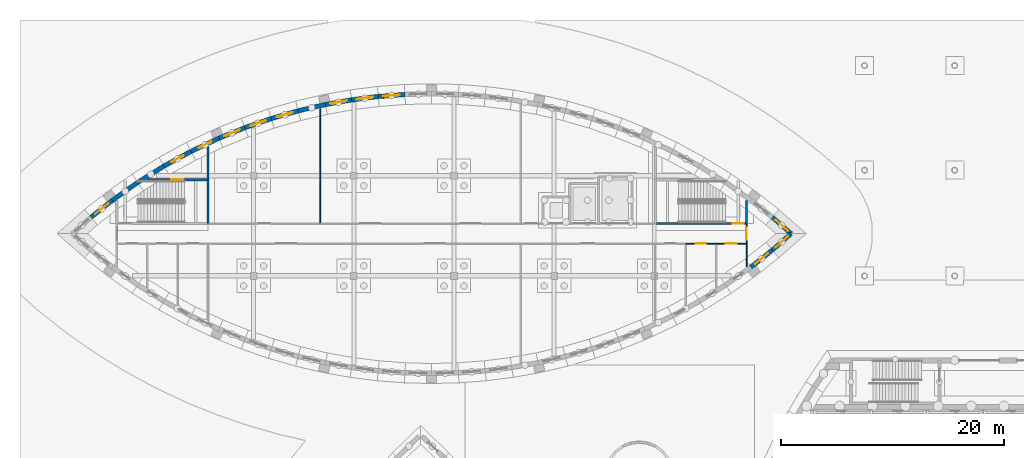
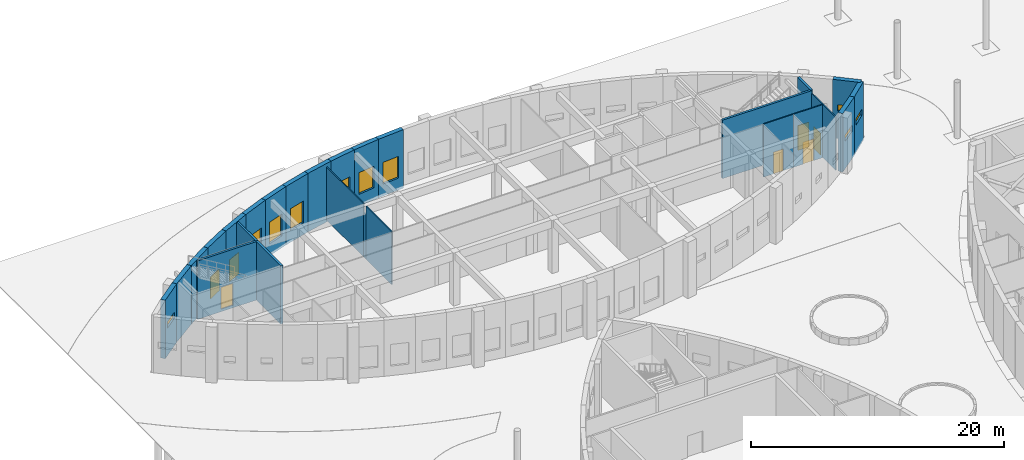
# One storey, part 59 of 82: 27 walls, 10 windows, 7 doors, 17 openings.
"""IFC4 building model written with IfcOpenShell, lengths in metres."""

from ifc_helpers import new_model, si_unit, direction, frame, frame_2d, origin, place, context, subcontext, project, spatial, rectangle, extrude, material, layer, layer_set, type_object, element, fill, save


model = new_model("IFC4")

# Units and contexts
model_context = context("Model", 3, precision=1e-05, world=origin(), true_north=direction((0.0, 1.0)))
body_context = subcontext(model_context, "Body", "Model", "MODEL_VIEW")
ifc_project = project(units=[si_unit("LENGTHUNIT", "METRE"), si_unit("AREAUNIT", "SQUARE_METRE"), si_unit("VOLUMEUNIT", "CUBIC_METRE"), si_unit("PLANEANGLEUNIT", "RADIAN"), si_unit("MASSUNIT", "GRAM", prefix="KILO")], contexts=[model_context])

# Site, building, storey
site_placement = place(None, origin())
site = spatial("IfcSite", under=ifc_project, at=site_placement, CompositionType="ELEMENT")
building_placement = place(site_placement, origin())
building = spatial("IfcBuilding", under=site, at=building_placement, Name="Tide Square Theatres", CompositionType="ELEMENT")
storey_placement = place(building_placement, origin())
storey = spatial("IfcBuildingStorey", under=building, at=storey_placement, Name="L00", CompositionType="ELEMENT", Elevation=0.0)

# Walls
ifc_material_1 = material(Name="Gypsum board on steel studs", Category="steel")
ifc_layer_1 = layer(ifc_material_1, 0.10009765625)
ifc_layer_set_1 = layer_set([ifc_layer_1], Name="Gypsum board on steel studs")
wall_type_1 = type_object("IfcWallType", Name="Partition 100 thick", PredefinedType="PARTITIONING", material=ifc_layer_set_1)
wall_1_placement = place(storey_placement, frame((27.0, 109.04443359375, 0.0), z_axis=(0.0, 0.0, 1.0), x_axis=(0.0, -1.0, 0.0)))
element("IfcWall", 1, at=wall_1_placement, inside=storey, type_object=wall_type_1, Name="Scenery Workshops partition", PredefinedType="PARTITIONING", context=body_context, shape_type="SweptSolid", body=[
    extrude(rectangle(XDim=5.844482421875, YDim=0.10009765625, at=frame_2d((2.92236328125, 0.0))), origin(), (0.0, 0.0, 1.0), 5.1201171875),
])
wall_2_placement = place(storey_placement, frame((27.0, 103.199951171875, 0.0), z_axis=(0.0, 0.0, 1.0), x_axis=(0.0, -1.0, 0.0)))
element("IfcWall", 2, at=wall_2_placement, inside=storey, type_object=wall_type_1, Name="Scenery Workshops partition", PredefinedType="PARTITIONING", context=body_context, shape_type="SweptSolid", body=[
    extrude(rectangle(XDim=0.39990234375, YDim=0.10009765625, at=frame_2d((0.199951171875, 0.0))), origin(), (0.0, 0.0, 1.0), 4.320068359375),
])
wall_3_placement = place(storey_placement, frame((27.0, 102.800048828125, 0.0), z_axis=(0.0, 0.0, 1.0), x_axis=(0.0, -1.0, 0.0)))
element("IfcWall", 3, at=wall_3_placement, inside=storey, type_object=wall_type_1, Name="Scenery Workshops partition", PredefinedType="PARTITIONING", context=body_context, shape_type="SweptSolid", body=[
    extrude(rectangle(XDim=4.070068359375, YDim=0.10009765625, at=frame_2d((2.03515625, 0.0))), origin(), (0.0, 0.0, 1.0), 5.1201171875),
])

# Wall, opening, door
wall_4_placement = place(storey_placement, frame((62.566650390625, 96.89990234375, 0.0), z_axis=(0.0, 0.0, 1.0), x_axis=(-1.0, 0.0, 0.0)))
wall_4 = element("IfcWall", 4, at=wall_4_placement, inside=storey, type_object=wall_type_1, Name="Scenery Workshops partition", PredefinedType="PARTITIONING", context=body_context, shape_type="SweptSolid", body=[
    extrude(rectangle(XDim=2.7333984375, YDim=0.10009765625, at=frame_2d((1.36669921875, 0.0))), origin(), (0.0, 0.0, 1.0), 5.1201171875),
])
opening_1_placement = place(wall_4_placement, frame((0.916748046875, 0.0, 0.0)))
opening_1 = element("IfcOpeningElement", 5, at=opening_1_placement, cuts=wall_4, Name="Opening W0-09", PredefinedType="OPENING", context=body_context, shape_type="SweptSolid", body=[
    extrude(rectangle(XDim=0.89990234375, YDim=2.10009765625, at=frame_2d((0.449951171875, 1.050048828125))), frame((0.0, 0.06005859375, 0.0), z_axis=(0.0, -1.0, 0.0), x_axis=(1.0, 0.0, 0.0)), (0.0, 0.0, 1.0), 0.1201171875),
])
ifc_material_2 = material(Name="Hardwood timber", Category="wood")
door_type_1 = type_object("IfcDoorType", Name="Door 900 x 2100 single leaf", OperationType="NOTDEFINED", PredefinedType="DOOR", material=ifc_material_2)
door_1_placement = place(opening_1_placement, origin())
door_1 = element("IfcDoor", 6, at=door_1_placement, inside=storey, type_object=door_type_1, Name="Scenery Workshops door W0-09 to Ladies WC E", OperationType="SINGLE_SWING_RIGHT", OverallHeight=2.10009765625, OverallWidth=0.89990234375, PredefinedType="DOOR", context=body_context, shape_type="SweptSolid", body=[
    extrude(rectangle(XDim=0.89990234375, YDim=2.10009765625, at=frame_2d((0.449951171875, 1.050048828125))), frame((0.0, 0.02490234375, 0.0), z_axis=(0.0, -1.0, 0.0), x_axis=(1.0, 0.0, 0.0)), (0.0, 0.0, 1.0), 0.050048828125),
])
fill(opening_1, door_1)

wall_5_placement = place(storey_placement, frame((65.300048828125, 96.89990234375, 0.0), z_axis=(0.0, 0.0, 1.0), x_axis=(-1.0, 0.0, 0.0)))
wall_5 = element("IfcWall", 7, at=wall_5_placement, inside=storey, type_object=wall_type_1, Name="Scenery Workshops partition", PredefinedType="PARTITIONING", context=body_context, shape_type="SweptSolid", body=[
    extrude(rectangle(XDim=2.7333984375, YDim=0.10009765625, at=frame_2d((1.36669921875, 0.0))), origin(), (0.0, 0.0, 1.0), 5.1201171875),
])
opening_2_placement = place(wall_5_placement, frame((0.86669921875, 0.0, 0.0)))
opening_2 = element("IfcOpeningElement", 8, at=opening_2_placement, cuts=wall_5, Name="Opening W0-10", PredefinedType="OPENING", context=body_context, shape_type="SweptSolid", body=[
    extrude(rectangle(XDim=1.0, YDim=2.10009765625, at=frame_2d((0.5, 1.050048828125))), frame((0.0, 0.06005859375, 0.0), z_axis=(0.0, -1.0, 0.0), x_axis=(1.0, 0.0, 0.0)), (0.0, 0.0, 1.0), 0.1201171875),
])
ifc_material_3 = material(Name="Hardwood timber", Category="wood")
door_type_2 = type_object("IfcDoorType", Name="Door 1000 x 2100 single leaf", OperationType="NOTDEFINED", PredefinedType="DOOR", material=ifc_material_3)
door_2_placement = place(opening_2_placement, origin())
door_2 = element("IfcDoor", 9, at=door_2_placement, inside=storey, type_object=door_type_2, Name="Scenery Workshops door W0-10 to Accessible WC E", OperationType="SINGLE_SWING_RIGHT", OverallHeight=2.10009765625, OverallWidth=1.0, PredefinedType="DOOR", context=body_context, shape_type="SweptSolid", body=[
    extrude(rectangle(XDim=1.0, YDim=2.10009765625, at=frame_2d((0.5, 1.050048828125))), frame((0.0, 0.02490234375, 0.0), z_axis=(0.0, -1.0, 0.0), x_axis=(1.0, 0.0, 0.0)), (0.0, 0.0, 1.0), 0.050048828125),
])
fill(opening_2, door_2)

# Wall
wall_6_placement = place(storey_placement, frame((65.300048828125, 96.8701171875, 0.0), z_axis=(0.0, 0.0, 1.0), x_axis=(0.0, -1.0, 0.0)))
element("IfcWall", 10, at=wall_6_placement, inside=storey, type_object=wall_type_1, Name="Scenery Workshops partition", PredefinedType="PARTITIONING", context=body_context, shape_type="SweptSolid", body=[
    extrude(rectangle(XDim=2.041015625, YDim=0.10009765625, at=frame_2d((1.0205078125, 0.0))), origin(), (0.0, 0.0, 1.0), 5.1201171875),
])

# Wall, opening, door
wall_7_placement = place(storey_placement, frame((65.300048828125, 98.669921875, 0.0), z_axis=(0.0, 0.0, 1.0), x_axis=(0.0, -1.0, 0.0)))
wall_7 = element("IfcWall", 11, at=wall_7_placement, inside=storey, type_object=wall_type_1, Name="Scenery Workshops partition", PredefinedType="PARTITIONING", context=body_context, shape_type="SweptSolid", body=[
    extrude(rectangle(XDim=1.77001953125, YDim=0.10009765625, at=frame_2d((0.885009765625, 0.0))), origin(), (0.0, 0.0, 1.0), 5.1201171875),
])
opening_3_placement = place(wall_7_placement, frame((0.320068359375, 0.0, 0.0)))
opening_3 = element("IfcOpeningElement", 12, at=opening_3_placement, cuts=wall_7, Name="Opening W0-12", PredefinedType="OPENING", context=body_context, shape_type="SweptSolid", body=[
    extrude(rectangle(XDim=1.10009765625, YDim=2.10009765625, at=frame_2d((0.550048828125, 1.050048828125))), frame((0.0, 0.06005859375, 0.0), z_axis=(0.0, -1.0, 0.0), x_axis=(1.0, 0.0, 0.0)), (0.0, 0.0, 1.0), 0.1201171875),
])
ifc_material_4 = material(Name="Painted steel", Category="steel")
door_type_3 = type_object("IfcDoorType", Name="Door 1100 x 2100 single leaf", OperationType="NOTDEFINED", PredefinedType="DOOR", material=ifc_material_4)
door_3_placement = place(opening_3_placement, origin())
door_3 = element("IfcDoor", 13, at=door_3_placement, inside=storey, type_object=door_type_3, Name="Scenery Workshops door W0-12 to Plant Room E", OperationType="SINGLE_SWING_RIGHT", OverallHeight=2.10009765625, OverallWidth=1.10009765625, PredefinedType="DOOR", context=body_context, shape_type="SweptSolid", body=[
    extrude(rectangle(XDim=1.10009765625, YDim=2.10009765625, at=frame_2d((0.550048828125, 1.050048828125))), frame((0.0, 0.02490234375, 0.0), z_axis=(0.0, -1.0, 0.0), x_axis=(1.0, 0.0, 0.0)), (0.0, 0.0, 1.0), 0.050048828125),
])
fill(opening_3, door_3)

# Wall, opening, window
ifc_material_5 = material(Name="Concrete C40", Category="concrete")
ifc_layer_2 = layer(ifc_material_5, 0.39990234375)
ifc_layer_set_2 = layer_set([ifc_layer_2], Name="Concrete C40")
wall_type_2 = type_object("IfcWallType", Name="RC curved wall 400 thick", PredefinedType="SOLIDWALL", material=ifc_layer_set_2)
wall_8_placement = place(storey_placement, frame((65.68017578125, 94.79150390625, -0.25), z_axis=(0.0, 0.0, 1.0), x_axis=(0.784278812541, 0.620408530082, 0.0)))
wall_8 = element("IfcWall", 14, at=wall_8_placement, inside=storey, type_object=wall_type_2, Name="Scenery Workshops perimeter wall 026", PredefinedType="SOLIDWALL", context=body_context, shape_type="SweptSolid", body=[
    extrude(rectangle(XDim=2.464111328125, YDim=0.39990234375, at=frame_2d((1.23193359375, 0.0))), origin(), (0.0, 0.0, 1.0), 5.64990234375),
])
opening_4_placement = place(wall_8_placement, frame((0.48193359375, 0.0, 2.64990234375)))
opening_4 = element("IfcOpeningElement", 15, at=opening_4_placement, cuts=wall_8, Name="Opening WN-05", PredefinedType="OPENING", context=body_context, shape_type="SweptSolid", body=[
    extrude(rectangle(XDim=1.5, YDim=0.60009765625, at=frame_2d((0.75, 0.300048828125))), frame((0.0, 0.2099609375, 0.0), z_axis=(0.0, -1.0, 0.0), x_axis=(1.0, 0.0, 0.0)), (0.0, 0.0, 1.0), 0.419921875),
])
ifc_material_6 = material(Name="Aluminium with laminated glass", Category="aluminium")
window_type_1 = type_object("IfcWindowType", Name="Window 1500 x 600", PartitioningType="SINGLE_PANEL", PredefinedType="WINDOW", material=ifc_material_6)
window_1_placement = place(opening_4_placement, origin())
window_1 = element("IfcWindow", 16, at=window_1_placement, inside=storey, type_object=window_type_1, Name="Scenery Workshops window L00-24", OverallHeight=0.60009765625, OverallWidth=1.5, PartitioningType="SINGLE_PANEL", PredefinedType="WINDOW", context=body_context, shape_type="SweptSolid", body=[
    extrude(rectangle(XDim=1.5, YDim=0.60009765625, at=frame_2d((0.75, 0.300048828125))), frame((0.0, 0.030029296875, 0.0), z_axis=(0.0, -1.0, 0.0), x_axis=(1.0, 0.0, 0.0)), (0.0, 0.0, 1.0), 0.06005859375),
])
fill(opening_4, window_1)

wall_9_placement = place(storey_placement, frame((67.61279296875, 96.3203125, -0.25), z_axis=(0.0, 0.0, 1.0), x_axis=(0.751212351098, 0.660060605973, 0.0)))
wall_9 = element("IfcWall", 17, at=wall_9_placement, inside=storey, type_object=wall_type_2, Name="Scenery Workshops perimeter wall 027", PredefinedType="SOLIDWALL", context=body_context, shape_type="SweptSolid", body=[
    extrude(rectangle(XDim=2.24169921875, YDim=0.39990234375, at=frame_2d((1.120849609375, 0.0))), origin(), (0.0, 0.0, 1.0), 5.64990234375),
])
opening_5_placement = place(wall_9_placement, frame((0.370849609375, 0.0, 2.64990234375)))
opening_5 = element("IfcOpeningElement", 18, at=opening_5_placement, cuts=wall_9, Name="Opening WN-05", PredefinedType="OPENING", context=body_context, shape_type="SweptSolid", body=[
    extrude(rectangle(XDim=1.5, YDim=0.60009765625, at=frame_2d((0.75, 0.300048828125))), frame((0.0, 0.2099609375, 0.0), z_axis=(0.0, -1.0, 0.0), x_axis=(1.0, 0.0, 0.0)), (0.0, 0.0, 1.0), 0.419921875),
])
window_2_placement = place(opening_5_placement, origin())
window_2 = element("IfcWindow", 19, at=window_2_placement, inside=storey, type_object=window_type_1, Name="Scenery Workshops window L00-25", OverallHeight=0.60009765625, OverallWidth=1.5, PartitioningType="SINGLE_PANEL", PredefinedType="WINDOW", context=body_context, shape_type="SweptSolid", body=[
    extrude(rectangle(XDim=1.5, YDim=0.60009765625, at=frame_2d((0.75, 0.300048828125))), frame((0.0, 0.030029296875, 0.0), z_axis=(0.0, -1.0, 0.0), x_axis=(1.0, 0.0, 0.0)), (0.0, 0.0, 1.0), 0.06005859375),
])
fill(opening_5, window_2)

wall_10_placement = place(storey_placement, frame((69.296875, 97.800048828125, -0.25), z_axis=(0.0, 0.0, 1.0), x_axis=(-0.751212351098, 0.660060605973, 0.0)))
wall_10 = element("IfcWall", 20, at=wall_10_placement, inside=storey, type_object=wall_type_2, Name="Scenery Workshops perimeter wall 028", PredefinedType="SOLIDWALL", context=body_context, shape_type="SweptSolid", body=[
    extrude(rectangle(XDim=2.24169921875, YDim=0.39990234375, at=frame_2d((1.120849609375, 0.0))), origin(), (0.0, 0.0, 1.0), 5.64990234375),
])
opening_6_placement = place(wall_10_placement, frame((0.370849609375, 0.0, 2.64990234375)))
opening_6 = element("IfcOpeningElement", 21, at=opening_6_placement, cuts=wall_10, Name="Opening WN-05", PredefinedType="OPENING", context=body_context, shape_type="SweptSolid", body=[
    extrude(rectangle(XDim=1.5, YDim=0.60009765625, at=frame_2d((0.75, 0.300048828125))), frame((0.0, 0.2099609375, 0.0), z_axis=(0.0, -1.0, 0.0), x_axis=(1.0, 0.0, 0.0)), (0.0, 0.0, 1.0), 0.419921875),
])
window_3_placement = place(opening_6_placement, origin())
window_3 = element("IfcWindow", 22, at=window_3_placement, inside=storey, type_object=window_type_1, Name="Scenery Workshops window L00-26", OverallHeight=0.60009765625, OverallWidth=1.5, PartitioningType="SINGLE_PANEL", PredefinedType="WINDOW", context=body_context, shape_type="SweptSolid", body=[
    extrude(rectangle(XDim=1.5, YDim=0.60009765625, at=frame_2d((0.75, 0.300048828125))), frame((0.0, 0.030029296875, 0.0), z_axis=(0.0, -1.0, 0.0), x_axis=(1.0, 0.0, 0.0)), (0.0, 0.0, 1.0), 0.06005859375),
])
fill(opening_6, window_3)

wall_11_placement = place(storey_placement, frame((34.5947265625, 110.30810546875, -0.25), z_axis=(0.0, 0.0, 1.0), x_axis=(-0.997153910364, -0.075392831525, 0.0)))
wall_11 = element("IfcWall", 23, at=wall_11_placement, inside=storey, type_object=wall_type_2, Name="Scenery Workshops perimeter wall 043", PredefinedType="SOLIDWALL", context=body_context, shape_type="SweptSolid", body=[
    extrude(rectangle(XDim=2.406005859375, YDim=0.39990234375, at=frame_2d((1.203125, 0.0))), origin(), (0.0, 0.0, 1.0), 5.64990234375),
])
opening_7_placement = place(wall_11_placement, frame((0.452880859375, 0.0, 1.14990234375)))
opening_7 = element("IfcOpeningElement", 24, at=opening_7_placement, cuts=wall_11, Name="Opening WN-01", PredefinedType="OPENING", context=body_context, shape_type="SweptSolid", body=[
    extrude(rectangle(XDim=1.5, YDim=2.10009765625, at=frame_2d((0.75, 1.050048828125))), frame((0.0, 0.2099609375, 0.0), z_axis=(0.0, -1.0, 0.0), x_axis=(1.0, 0.0, 0.0)), (0.0, 0.0, 1.0), 0.419921875),
])
ifc_material_7 = material(Name="Aluminium with laminated glass", Category="aluminium")
window_type_2 = type_object("IfcWindowType", Name="Window 1500 x 2100", PartitioningType="SINGLE_PANEL", PredefinedType="WINDOW", material=ifc_material_7)
window_4_placement = place(opening_7_placement, origin())
window_4 = element("IfcWindow", 25, at=window_4_placement, inside=storey, type_object=window_type_2, Name="Scenery Workshops window L00-36", OverallHeight=2.10009765625, OverallWidth=1.5, PartitioningType="SINGLE_PANEL", PredefinedType="WINDOW", context=body_context, shape_type="SweptSolid", body=[
    extrude(rectangle(XDim=1.5, YDim=2.10009765625, at=frame_2d((0.75, 1.050048828125))), frame((0.0, 0.030029296875, 0.0), z_axis=(0.0, -1.0, 0.0), x_axis=(1.0, 0.0, 0.0)), (0.0, 0.0, 1.0), 0.06005859375),
])
fill(opening_7, window_4)

wall_12_placement = place(storey_placement, frame((32.195556640625, 110.126708984375, -0.25), z_axis=(0.0, 0.0, 1.0), x_axis=(-0.99208939311, -0.125533406227, 0.0)))
wall_12 = element("IfcWall", 26, at=wall_12_placement, inside=storey, type_object=wall_type_2, Name="Scenery Workshops perimeter wall 044", PredefinedType="SOLIDWALL", context=body_context, shape_type="SweptSolid", body=[
    extrude(rectangle(XDim=2.40576171875, YDim=0.39990234375, at=frame_2d((1.202880859375, 0.0))), origin(), (0.0, 0.0, 1.0), 5.64990234375),
])
opening_8_placement = place(wall_12_placement, frame((0.452880859375, 0.0, 1.14990234375)))
opening_8 = element("IfcOpeningElement", 27, at=opening_8_placement, cuts=wall_12, Name="Opening WN-01", PredefinedType="OPENING", context=body_context, shape_type="SweptSolid", body=[
    extrude(rectangle(XDim=1.5, YDim=2.10009765625, at=frame_2d((0.75, 1.050048828125))), frame((0.0, 0.2099609375, 0.0), z_axis=(0.0, -1.0, 0.0), x_axis=(1.0, 0.0, 0.0)), (0.0, 0.0, 1.0), 0.419921875),
])
window_5_placement = place(opening_8_placement, origin())
window_5 = element("IfcWindow", 28, at=window_5_placement, inside=storey, type_object=window_type_2, Name="Scenery Workshops window L00-37", OverallHeight=2.10009765625, OverallWidth=1.5, PartitioningType="SINGLE_PANEL", PredefinedType="WINDOW", context=body_context, shape_type="SweptSolid", body=[
    extrude(rectangle(XDim=1.5, YDim=2.10009765625, at=frame_2d((0.75, 1.050048828125))), frame((0.0, 0.030029296875, 0.0), z_axis=(0.0, -1.0, 0.0), x_axis=(1.0, 0.0, 0.0)), (0.0, 0.0, 1.0), 0.06005859375),
])
fill(opening_8, window_5)

wall_13_placement = place(storey_placement, frame((29.808837890625, 109.82470703125, -0.25), z_axis=(0.0, 0.0, 1.0), x_axis=(-0.984524011381, -0.175249738987, 0.0)))
wall_13 = element("IfcWall", 29, at=wall_13_placement, inside=storey, type_object=wall_type_2, Name="Scenery Workshops perimeter wall 045", PredefinedType="SOLIDWALL", context=body_context, shape_type="SweptSolid", body=[
    extrude(rectangle(XDim=2.406005859375, YDim=0.39990234375, at=frame_2d((1.203125, 0.0))), origin(), (0.0, 0.0, 1.0), 5.64990234375),
])
opening_9_placement = place(wall_13_placement, frame((0.452880859375, 0.0, 1.14990234375)))
opening_9 = element("IfcOpeningElement", 30, at=opening_9_placement, cuts=wall_13, Name="Opening WN-01", PredefinedType="OPENING", context=body_context, shape_type="SweptSolid", body=[
    extrude(rectangle(XDim=1.5, YDim=2.10009765625, at=frame_2d((0.75, 1.050048828125))), frame((0.0, 0.2099609375, 0.0), z_axis=(0.0, -1.0, 0.0), x_axis=(1.0, 0.0, 0.0)), (0.0, 0.0, 1.0), 0.419921875),
])
window_6_placement = place(opening_9_placement, origin())
window_6 = element("IfcWindow", 31, at=window_6_placement, inside=storey, type_object=window_type_2, Name="Scenery Workshops window L00-38", OverallHeight=2.10009765625, OverallWidth=1.5, PartitioningType="SINGLE_PANEL", PredefinedType="WINDOW", context=body_context, shape_type="SweptSolid", body=[
    extrude(rectangle(XDim=1.5, YDim=2.10009765625, at=frame_2d((0.75, 1.050048828125))), frame((0.0, 0.030029296875, 0.0), z_axis=(0.0, -1.0, 0.0), x_axis=(1.0, 0.0, 0.0)), (0.0, 0.0, 1.0), 0.06005859375),
])
fill(opening_9, window_6)

# Wall
wall_14_placement = place(storey_placement, frame((27.440185546875, 109.403076171875, -0.25), z_axis=(0.0, 0.0, 1.0), x_axis=(-0.974189274843, -0.225732710925, 0.0)))
element("IfcWall", 32, at=wall_14_placement, inside=storey, type_object=wall_type_2, Name="Scenery Workshops perimeter wall 046", PredefinedType="SOLIDWALL", context=body_context, shape_type="SweptSolid", body=[
    extrude(rectangle(XDim=2.511474609375, YDim=0.39990234375, at=frame_2d((1.255859375, 0.0))), origin(), (0.0, 0.0, 1.0), 5.64990234375),
])

# Wall, opening, window
wall_15_placement = place(storey_placement, frame((24.99365234375, 108.836181640625, -0.25), z_axis=(0.0, 0.0, 1.0), x_axis=(-0.961008605775, -0.276518461637, 0.0)))
wall_15 = element("IfcWall", 33, at=wall_15_placement, inside=storey, type_object=wall_type_2, Name="Scenery Workshops perimeter wall 047", PredefinedType="SOLIDWALL", context=body_context, shape_type="SweptSolid", body=[
    extrude(rectangle(XDim=2.510986328125, YDim=0.39990234375, at=frame_2d((1.25537109375, 0.0))), origin(), (0.0, 0.0, 1.0), 5.64990234375),
])
opening_10_placement = place(wall_15_placement, frame((0.505615234375, 0.0, 1.14990234375)))
opening_10 = element("IfcOpeningElement", 34, at=opening_10_placement, cuts=wall_15, Name="Opening WN-01", PredefinedType="OPENING", context=body_context, shape_type="SweptSolid", body=[
    extrude(rectangle(XDim=1.5, YDim=2.10009765625, at=frame_2d((0.75, 1.050048828125))), frame((0.0, 0.2099609375, 0.0), z_axis=(0.0, -1.0, 0.0), x_axis=(1.0, 0.0, 0.0)), (0.0, 0.0, 1.0), 0.419921875),
])
window_7_placement = place(opening_10_placement, origin())
window_7 = element("IfcWindow", 35, at=window_7_placement, inside=storey, type_object=window_type_2, Name="Scenery Workshops window L00-39", OverallHeight=2.10009765625, OverallWidth=1.5, PartitioningType="SINGLE_PANEL", PredefinedType="WINDOW", context=body_context, shape_type="SweptSolid", body=[
    extrude(rectangle(XDim=1.5, YDim=2.10009765625, at=frame_2d((0.75, 1.050048828125))), frame((0.0, 0.030029296875, 0.0), z_axis=(0.0, -1.0, 0.0), x_axis=(1.0, 0.0, 0.0)), (0.0, 0.0, 1.0), 0.06005859375),
])
fill(opening_10, window_7)

wall_16_placement = place(storey_placement, frame((22.58056640625, 108.141845703125, -0.25), z_axis=(0.0, 0.0, 1.0), x_axis=(-0.945175475032, -0.326562890417, 0.0)))
wall_16 = element("IfcWall", 36, at=wall_16_placement, inside=storey, type_object=wall_type_2, Name="Scenery Workshops perimeter wall 048", PredefinedType="SOLIDWALL", context=body_context, shape_type="SweptSolid", body=[
    extrude(rectangle(XDim=2.51123046875, YDim=0.39990234375, at=frame_2d((1.255615234375, 0.0))), origin(), (0.0, 0.0, 1.0), 5.64990234375),
])
opening_11_placement = place(wall_16_placement, frame((0.505615234375, 0.0, 1.14990234375)))
opening_11 = element("IfcOpeningElement", 37, at=opening_11_placement, cuts=wall_16, Name="Opening WN-01", PredefinedType="OPENING", context=body_context, shape_type="SweptSolid", body=[
    extrude(rectangle(XDim=1.5, YDim=2.10009765625, at=frame_2d((0.75, 1.050048828125))), frame((0.0, 0.2099609375, 0.0), z_axis=(0.0, -1.0, 0.0), x_axis=(1.0, 0.0, 0.0)), (0.0, 0.0, 1.0), 0.419921875),
])
window_8_placement = place(opening_11_placement, origin())
window_8 = element("IfcWindow", 38, at=window_8_placement, inside=storey, type_object=window_type_2, Name="Scenery Workshops window L00-40", OverallHeight=2.10009765625, OverallWidth=1.5, PartitioningType="SINGLE_PANEL", PredefinedType="WINDOW", context=body_context, shape_type="SweptSolid", body=[
    extrude(rectangle(XDim=1.5, YDim=2.10009765625, at=frame_2d((0.75, 1.050048828125))), frame((0.0, 0.030029296875, 0.0), z_axis=(0.0, -1.0, 0.0), x_axis=(1.0, 0.0, 0.0)), (0.0, 0.0, 1.0), 0.06005859375),
])
fill(opening_11, window_8)

wall_17_placement = place(storey_placement, frame((20.20703125, 107.32177734375, -0.25), z_axis=(0.0, 0.0, 1.0), x_axis=(-0.926688932252, -0.375829246921, 0.0)))
wall_17 = element("IfcWall", 39, at=wall_17_placement, inside=storey, type_object=wall_type_2, Name="Scenery Workshops perimeter wall 049", PredefinedType="SOLIDWALL", context=body_context, shape_type="SweptSolid", body=[
    extrude(rectangle(XDim=2.5107421875, YDim=0.39990234375, at=frame_2d((1.25537109375, 0.0))), origin(), (0.0, 0.0, 1.0), 5.64990234375),
])
opening_12_placement = place(wall_17_placement, frame((0.50537109375, 0.0, 1.14990234375)))
opening_12 = element("IfcOpeningElement", 40, at=opening_12_placement, cuts=wall_17, Name="Opening WN-01", PredefinedType="OPENING", context=body_context, shape_type="SweptSolid", body=[
    extrude(rectangle(XDim=1.5, YDim=2.10009765625, at=frame_2d((0.75, 1.050048828125))), frame((0.0, 0.2099609375, 0.0), z_axis=(0.0, -1.0, 0.0), x_axis=(1.0, 0.0, 0.0)), (0.0, 0.0, 1.0), 0.419921875),
])
window_9_placement = place(opening_12_placement, origin())
window_9 = element("IfcWindow", 41, at=window_9_placement, inside=storey, type_object=window_type_2, Name="Scenery Workshops window L00-41", OverallHeight=2.10009765625, OverallWidth=1.5, PartitioningType="SINGLE_PANEL", PredefinedType="WINDOW", context=body_context, shape_type="SweptSolid", body=[
    extrude(rectangle(XDim=1.5, YDim=2.10009765625, at=frame_2d((0.75, 1.050048828125))), frame((0.0, 0.030029296875, 0.0), z_axis=(0.0, -1.0, 0.0), x_axis=(1.0, 0.0, 0.0)), (0.0, 0.0, 1.0), 0.06005859375),
])
fill(opening_12, window_9)

# Wall, opening, door
wall_18_placement = place(storey_placement, frame((17.88037109375, 106.378173828125, -0.25), z_axis=(0.0, 0.0, 1.0), x_axis=(-0.904561064695, -0.42634408667, 0.0)))
wall_18 = element("IfcWall", 42, at=wall_18_placement, inside=storey, type_object=wall_type_2, Name="Scenery Workshops perimeter wall 050", PredefinedType="SOLIDWALL", context=body_context, shape_type="SweptSolid", body=[
    extrude(rectangle(XDim=2.772216796875, YDim=0.39990234375, at=frame_2d((1.38623046875, 0.0))), origin(), (0.0, 0.0, 1.0), 5.64990234375),
])
opening_13_placement = place(wall_18_placement, frame((0.736083984375, 0.0, 0.25)))
opening_13 = element("IfcOpeningElement", 43, at=opening_13_placement, cuts=wall_18, Name="Opening W0-04", PredefinedType="OPENING", context=body_context, shape_type="SweptSolid", body=[
    extrude(rectangle(XDim=1.300048828125, YDim=2.10009765625, at=frame_2d((0.64990234375, 1.050048828125))), frame((0.0, 0.2099609375, 0.0), z_axis=(0.0, -1.0, 0.0), x_axis=(1.0, 0.0, 0.0)), (0.0, 0.0, 1.0), 0.419921875),
])
ifc_material_8 = material(Name="Hardwood timber", Category="wood")
door_type_4 = type_object("IfcDoorType", Name="Door 1300 x 2100 double leaf", OperationType="DOUBLE_DOOR_SINGLE_SWING", PredefinedType="DOOR", material=ifc_material_8)
door_4_placement = place(opening_13_placement, origin())
door_4 = element("IfcDoor", 44, at=door_4_placement, inside=storey, type_object=door_type_4, Name="Scenery Workshops workshop exit door W0-04", OperationType="DOUBLE_DOOR_SINGLE_SWING", OverallHeight=2.10009765625, OverallWidth=1.300048828125, PredefinedType="DOOR", context=body_context, shape_type="SweptSolid", body=[
    extrude(rectangle(XDim=1.300048828125, YDim=2.10009765625, at=frame_2d((0.64990234375, 1.050048828125))), frame((0.0, 0.02490234375, 0.0), z_axis=(0.0, -1.0, 0.0), x_axis=(1.0, 0.0, 0.0)), (0.0, 0.0, 1.0), 0.050048828125),
])
fill(opening_13, door_4)

wall_19_placement = place(storey_placement, frame((15.372802734375, 105.1962890625, -0.25), z_axis=(0.0, 0.0, 1.0), x_axis=(-0.878255502871, -0.478191668347, 0.0)))
wall_19 = element("IfcWall", 45, at=wall_19_placement, inside=storey, type_object=wall_type_2, Name="Scenery Workshops perimeter wall 051", PredefinedType="SOLIDWALL", context=body_context, shape_type="SweptSolid", body=[
    extrude(rectangle(XDim=2.771728515625, YDim=0.39990234375, at=frame_2d((1.3857421875, 0.0))), origin(), (0.0, 0.0, 1.0), 5.64990234375),
])
opening_14_placement = place(wall_19_placement, frame((0.73583984375, 0.0, 0.25)))
opening_14 = element("IfcOpeningElement", 46, at=opening_14_placement, cuts=wall_19, Name="Opening W0-01", PredefinedType="OPENING", context=body_context, shape_type="SweptSolid", body=[
    extrude(rectangle(XDim=1.300048828125, YDim=2.10009765625, at=frame_2d((0.64990234375, 1.050048828125))), frame((0.0, 0.2099609375, 0.0), z_axis=(0.0, -1.0, 0.0), x_axis=(1.0, 0.0, 0.0)), (0.0, 0.0, 1.0), 0.419921875),
])
door_5_placement = place(opening_14_placement, frame((1.300048828125, 0.0, 0.0), z_axis=(0.0, 0.0, 1.0), x_axis=(-1.0, 0.0, 0.0)))
door_5 = element("IfcDoor", 47, at=door_5_placement, inside=storey, type_object=door_type_4, Name="Scenery Workshops stair discharge door W0-01", OperationType="DOUBLE_DOOR_SINGLE_SWING", OverallHeight=2.10009765625, OverallWidth=1.300048828125, PredefinedType="DOOR", context=body_context, shape_type="SweptSolid", body=[
    extrude(rectangle(XDim=1.300048828125, YDim=2.10009765625, at=frame_2d((0.64990234375, 1.050048828125))), frame((0.0, 0.02490234375, 0.0), z_axis=(0.0, -1.0, 0.0), x_axis=(1.0, 0.0, 0.0)), (0.0, 0.0, 1.0), 0.050048828125),
])
fill(opening_14, door_5)

# Walls
for number, where, z_axis, x_axis, name in (
    (48, (12.9384765625, 103.870849609375, -0.25), (0.0, 0.0, 1.0), (-0.84912946359, -0.528184772653, 0.0), "Scenery Workshops perimeter wall 052"),
    (49, (10.584716796875, 102.40673828125, -0.25), (0.0, 0.0, 1.0), (-0.817070367038, -0.57653795652, 0.0), "Scenery Workshops perimeter wall 053"),
):
    element("IfcWall", number, at=place(storey_placement, frame(where, z_axis=z_axis, x_axis=x_axis)), inside=storey, type_object=wall_type_2, Name=name, PredefinedType="SOLIDWALL", context=body_context, shape_type="SweptSolid", body=[
        extrude(rectangle(XDim=2.77197265625, YDim=0.39990234375, at=frame_2d((1.385986328125, 0.0))), origin(), (0.0, 0.0, 1.0), 5.64990234375),
    ])

# Wall, opening, window
wall_20_placement = place(storey_placement, frame((8.31982421875, 100.80859375, -0.25), z_axis=(0.0, 0.0, 1.0), x_axis=(-0.784278812541, -0.620408530082, 0.0)))
wall_20 = element("IfcWall", 50, at=wall_20_placement, inside=storey, type_object=wall_type_2, Name="Scenery Workshops perimeter wall 054", PredefinedType="SOLIDWALL", context=body_context, shape_type="SweptSolid", body=[
    extrude(rectangle(XDim=2.464111328125, YDim=0.39990234375, at=frame_2d((1.23193359375, 0.0))), origin(), (0.0, 0.0, 1.0), 5.64990234375),
])
opening_15_placement = place(wall_20_placement, frame((0.48193359375, 0.0, 2.64990234375)))
opening_15 = element("IfcOpeningElement", 51, at=opening_15_placement, cuts=wall_20, Name="Opening WN-05", PredefinedType="OPENING", context=body_context, shape_type="SweptSolid", body=[
    extrude(rectangle(XDim=1.5, YDim=0.60009765625, at=frame_2d((0.75, 0.300048828125))), frame((0.0, 0.2099609375, 0.0), z_axis=(0.0, -1.0, 0.0), x_axis=(1.0, 0.0, 0.0)), (0.0, 0.0, 1.0), 0.419921875),
])
window_10_placement = place(opening_15_placement, origin())
window_10 = element("IfcWindow", 52, at=window_10_placement, inside=storey, type_object=window_type_1, Name="Scenery Workshops window L00-42", OverallHeight=0.60009765625, OverallWidth=1.5, PartitioningType="SINGLE_PANEL", PredefinedType="WINDOW", context=body_context, shape_type="SweptSolid", body=[
    extrude(rectangle(XDim=1.5, YDim=0.60009765625, at=frame_2d((0.75, 0.300048828125))), frame((0.0, 0.030029296875, 0.0), z_axis=(0.0, -1.0, 0.0), x_axis=(1.0, 0.0, 0.0)), (0.0, 0.0, 1.0), 0.06005859375),
])
fill(opening_15, window_10)

# Wall
ifc_material_9 = material(Name="Concrete C40", Category="concrete")
ifc_layer_3 = layer(ifc_material_9, 0.199951171875)
ifc_layer_set_3 = layer_set([ifc_layer_3], Name="Concrete C40")
wall_type_3 = type_object("IfcWallType", Name="RC shear wall 200 thick", PredefinedType="SHEAR", material=ifc_layer_set_3)
wall_21_placement = place(storey_placement, frame((16.89990234375, 102.64990234375, -0.25), z_axis=(0.0, 0.0, 1.0), x_axis=(0.0, -1.0, 0.0)))
element("IfcWall", 53, at=wall_21_placement, inside=storey, type_object=wall_type_3, Name="Scenery Workshops stair enclosure wall", PredefinedType="SHEAR", context=body_context, shape_type="SweptSolid", body=[
    extrude(rectangle(XDim=3.949951171875, YDim=0.199951171875, at=frame_2d((1.97509765625, 0.0))), origin(), (0.0, 0.0, 1.0), 5.64990234375),
])

# Wall, opening, door
wall_22_placement = place(storey_placement, frame((11.448974609375, 102.64990234375, -0.25), z_axis=(0.0, 0.0, 1.0), x_axis=(1.0, 0.0, 0.0)))
wall_22 = element("IfcWall", 54, at=wall_22_placement, inside=storey, type_object=wall_type_3, Name="Scenery Workshops stair enclosure wall", PredefinedType="SHEAR", context=body_context, shape_type="SweptSolid", body=[
    extrude(rectangle(XDim=5.450927734375, YDim=0.199951171875, at=frame_2d((2.7255859375, 0.0))), origin(), (0.0, 0.0, 1.0), 5.64990234375),
])
opening_16_placement = place(wall_22_placement, frame((2.128173828125, 0.0, 0.25)))
opening_16 = element("IfcOpeningElement", 55, at=opening_16_placement, cuts=wall_22, Name="Opening W0-21", PredefinedType="OPENING", context=body_context, shape_type="SweptSolid", body=[
    extrude(rectangle(XDim=1.10009765625, YDim=2.10009765625, at=frame_2d((0.550048828125, 1.050048828125))), frame((0.0, 0.10986328125, 0.0), z_axis=(0.0, -1.0, 0.0), x_axis=(1.0, 0.0, 0.0)), (0.0, 0.0, 1.0), 0.219970703125),
])
door_6_placement = place(opening_16_placement, frame((1.10009765625, 0.0, 0.0), z_axis=(0.0, 0.0, 1.0), x_axis=(-1.0, 0.0, 0.0)))
door_6 = element("IfcDoor", 56, at=door_6_placement, inside=storey, type_object=door_type_3, Name="Scenery Workshops door W0-21 stair door to Stair Discharge Lobby 1", OperationType="SINGLE_SWING_LEFT", OverallHeight=2.10009765625, OverallWidth=1.10009765625, PredefinedType="DOOR", context=body_context, shape_type="SweptSolid", body=[
    extrude(rectangle(XDim=1.10009765625, YDim=2.10009765625, at=frame_2d((0.550048828125, 1.050048828125))), frame((0.0, 0.02490234375, 0.0), z_axis=(0.0, -1.0, 0.0), x_axis=(1.0, 0.0, 0.0)), (0.0, 0.0, 1.0), 0.050048828125),
])
fill(opening_16, door_6)

# Walls
wall_23_placement = place(storey_placement, frame((16.89990234375, 105.6396484375, -0.25), z_axis=(0.0, 0.0, 1.0), x_axis=(0.0, -1.0, 0.0)))
element("IfcWall", 57, at=wall_23_placement, inside=storey, type_object=wall_type_3, Name="Scenery Workshops stair enclosure wall", PredefinedType="SHEAR", context=body_context, shape_type="SweptSolid", body=[
    extrude(rectangle(XDim=2.98974609375, YDim=0.199951171875, at=frame_2d((1.494873046875, 0.0))), origin(), (0.0, 0.0, 1.0), 5.64990234375),
])
wall_24_placement = place(storey_placement, frame((65.300048828125, 100.770751953125, -0.25), z_axis=(0.0, 0.0, 1.0), x_axis=(0.0, -1.0, 0.0)))
element("IfcWall", 58, at=wall_24_placement, inside=storey, type_object=wall_type_3, Name="Scenery Workshops stair enclosure wall", PredefinedType="SHEAR", context=body_context, shape_type="SweptSolid", body=[
    extrude(rectangle(XDim=2.07080078125, YDim=0.199951171875, at=frame_2d((1.035400390625, 0.0))), origin(), (0.0, 0.0, 1.0), 5.64990234375),
])

# Wall, opening, door
wall_25_placement = place(storey_placement, frame((65.300048828125, 98.699951171875, -0.25), z_axis=(0.0, 0.0, 1.0), x_axis=(-1.0, 0.0, 0.0)))
wall_25 = element("IfcWall", 59, at=wall_25_placement, inside=storey, type_object=wall_type_3, Name="Scenery Workshops stair enclosure wall", PredefinedType="SHEAR", context=body_context, shape_type="SweptSolid", body=[
    extrude(rectangle(XDim=8.199951171875, YDim=0.199951171875, at=frame_2d((4.10009765625, 0.0))), origin(), (0.0, 0.0, 1.0), 5.64990234375),
])
opening_17_placement = place(wall_25_placement, frame((0.25, 0.0, 0.25)))
opening_17 = element("IfcOpeningElement", 60, at=opening_17_placement, cuts=wall_25, Name="Opening W0-22", PredefinedType="OPENING", context=body_context, shape_type="SweptSolid", body=[
    extrude(rectangle(XDim=1.0, YDim=2.39990234375, at=frame_2d((0.5, 1.199951171875))), frame((0.0, 0.10986328125, 0.0), z_axis=(0.0, -1.0, 0.0), x_axis=(1.0, 0.0, 0.0)), (0.0, 0.0, 1.0), 0.219970703125),
])
ifc_material_10 = material(Name="Hardwood timber", Category="wood")
door_type_5 = type_object("IfcDoorType", Name="Door 1000 x 2400 single leaf", OperationType="NOTDEFINED", PredefinedType="DOOR", material=ifc_material_10)
door_7_placement = place(opening_17_placement, origin())
door_7 = element("IfcDoor", 61, at=door_7_placement, inside=storey, type_object=door_type_5, Name="Scenery Workshops door W0-22 stair door to Stair 2", OperationType="SINGLE_SWING_LEFT", OverallHeight=2.39990234375, OverallWidth=1.0, PredefinedType="DOOR", context=body_context, shape_type="SweptSolid", body=[
    extrude(rectangle(XDim=1.0, YDim=2.39990234375, at=frame_2d((0.5, 1.199951171875))), frame((0.0, 0.02490234375, 0.0), z_axis=(0.0, -1.0, 0.0), x_axis=(1.0, 0.0, 0.0)), (0.0, 0.0, 1.0), 0.050048828125),
])
fill(opening_17, door_7)

save(model, "model.ifc")
